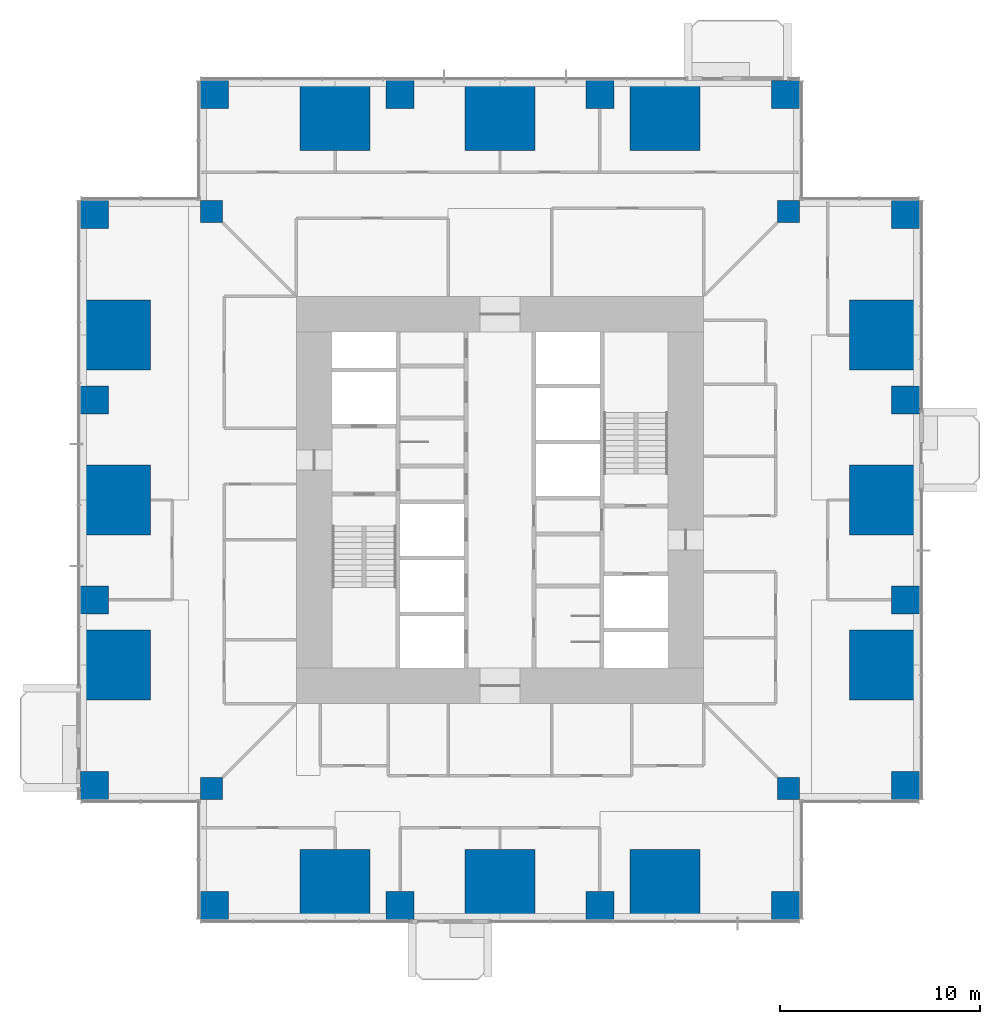
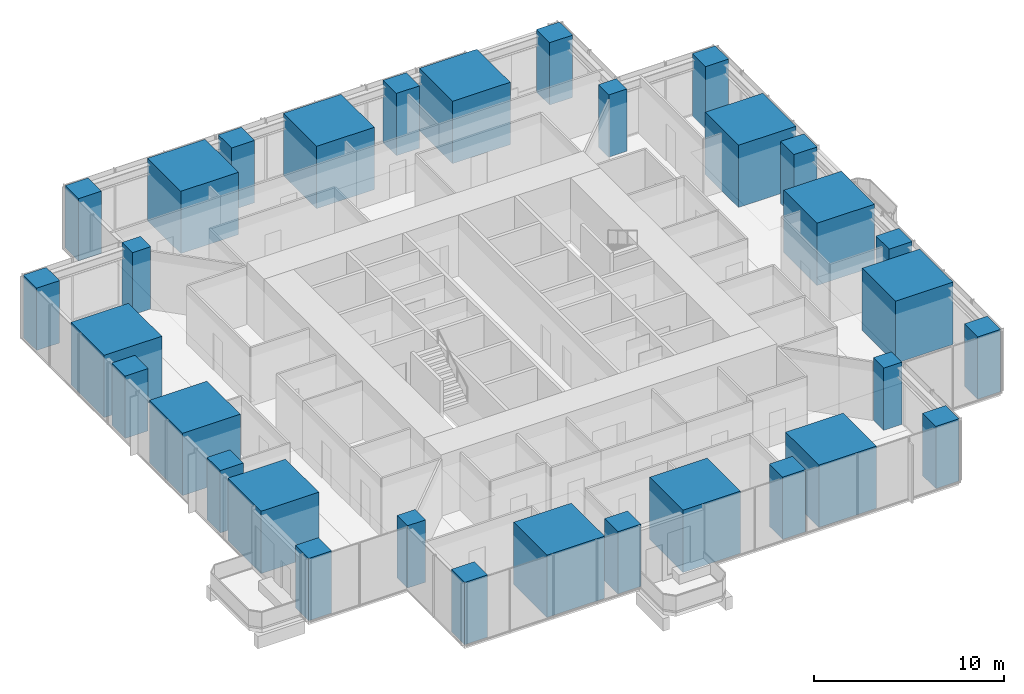
# One storey, part 1 of 18: 32 columns.
"""IFC4 building model written with IfcOpenShell, lengths in metres."""

from ifc_helpers import new_model, si_unit, direction, frame, origin, origin_2d, place, context, subcontext, project, spatial, rectangle, extrude, material, material_profile, profile_set, type_object, element, save


model = new_model("IFC4")

# Units and contexts
model_context = context("Model", 3, precision=1e-05, world=origin(), true_north=direction((0.0, 1.0)))
body_context = subcontext(model_context, "Body", "Model", "MODEL_VIEW")
ifc_project = project(units=[si_unit("LENGTHUNIT", "METRE"), si_unit("AREAUNIT", "SQUARE_METRE"), si_unit("VOLUMEUNIT", "CUBIC_METRE"), si_unit("PLANEANGLEUNIT", "RADIAN"), si_unit("MASSUNIT", "GRAM", prefix="KILO")], contexts=[model_context])

# Site, building, storey
site_placement = place(None, origin())
site = spatial("IfcSite", under=ifc_project, at=site_placement, CompositionType="ELEMENT")
building_placement = place(site_placement, origin())
building = spatial("IfcBuilding", under=site, at=building_placement, Name="Svetlomir Tower", CompositionType="ELEMENT")
storey_placement = place(building_placement, frame((0.0, 0.0, 54.5)))
storey = spatial("IfcBuildingStorey", under=building, at=storey_placement, Name="L12", CompositionType="ELEMENT", Elevation=54.5)

# Columns
ifc_material_1 = material(Name="Concrete C60/75", Category="concrete")
ifc_material_profile_1 = material_profile(ifc_material_1, rectangle(XDim=1.10009765625, YDim=1.10009765625, at=origin_2d()), Name="RC 1100x1100")
ifc_profile_set_1 = profile_set([ifc_material_profile_1], Name="Concrete C60/75")
column_type_1 = type_object("IfcColumnType", Name="COLUMN RC 1100x1100", PredefinedType="COLUMN", material=ifc_profile_set_1)
for number, where, z_axis, x_axis, name in (
    (1, (6.550048828125, 6.550048828125, 0.0), (0.0, 0.0, 1.0), (1.0, 0.0, 0.0), "Column 6/6 L12"),
    (2, (35.449951171875, 6.550048828125, 0.0), (0.0, 0.0, 1.0), (1.0, 0.0, 0.0), "Column 36/6 L12"),
    (3, (6.550048828125, 35.449951171875, 0.0), (0.0, 0.0, 1.0), (1.0, 0.0, 0.0), "Column 6/36 L12"),
    (4, (35.449951171875, 35.449951171875, 0.0), (0.0, 0.0, 1.0), (1.0, 0.0, 0.0), "Column 36/36 L12"),
):
    element("IfcColumn", number, at=place(storey_placement, frame(where, z_axis=z_axis, x_axis=x_axis)), inside=storey, type_object=column_type_1, Name=name, PredefinedType="COLUMN", context=body_context, shape_type="SweptSolid", body=[
        extrude(rectangle(XDim=1.10009765625, YDim=1.10009765625, at=origin_2d()), origin(), (0.0, 0.0, 1.0), 4.0),
    ])
ifc_material_2 = material(Name="Concrete C60/75", Category="concrete")
ifc_material_profile_2 = material_profile(ifc_material_2, rectangle(XDim=1.39990234375, YDim=1.39990234375, at=origin_2d()), Name="RC 1400x1400")
ifc_profile_set_2 = profile_set([ifc_material_profile_2], Name="Concrete C60/75")
column_type_2 = type_object("IfcColumnType", Name="COLUMN RC 1400x1400", PredefinedType="COLUMN", material=ifc_profile_set_2)
for number, where, z_axis, x_axis, name in (
    (5, (6.699951171875, 0.699951171875, 0.0), (0.0, 0.0, 1.0), (1.0, 0.0, 0.0), "Column 6/0 L12"),
    (6, (16.0, 0.699951171875, 0.0), (0.0, 0.0, 1.0), (1.0, 0.0, 0.0), "Column 16/0 L12"),
    (7, (26.0, 0.699951171875, 0.0), (0.0, 0.0, 1.0), (1.0, 0.0, 0.0), "Column 26/0 L12"),
    (8, (35.300048828125, 0.699951171875, 0.0), (0.0, 0.0, 1.0), (1.0, 0.0, 0.0), "Column 36/0 L12"),
    (9, (0.699951171875, 6.699951171875, 0.0), (0.0, 0.0, 1.0), (1.0, 0.0, 0.0), "Column 0/6 L12"),
    (10, (41.300048828125, 6.699951171875, 0.0), (0.0, 0.0, 1.0), (1.0, 0.0, 0.0), "Column 42/6 L12"),
    (11, (0.699951171875, 16.0, 0.0), (0.0, 0.0, 1.0), (1.0, 0.0, 0.0), "Column 0/16 L12"),
    (12, (41.300048828125, 16.0, 0.0), (0.0, 0.0, 1.0), (1.0, 0.0, 0.0), "Column 42/16 L12"),
    (13, (0.699951171875, 26.0, 0.0), (0.0, 0.0, 1.0), (1.0, 0.0, 0.0), "Column 0/26 L12"),
    (14, (41.300048828125, 26.0, 0.0), (0.0, 0.0, 1.0), (1.0, 0.0, 0.0), "Column 42/26 L12"),
    (15, (0.699951171875, 35.300048828125, 0.0), (0.0, 0.0, 1.0), (1.0, 0.0, 0.0), "Column 0/36 L12"),
    (16, (41.300048828125, 35.300048828125, 0.0), (0.0, 0.0, 1.0), (1.0, 0.0, 0.0), "Column 42/36 L12"),
    (17, (6.699951171875, 41.300048828125, 0.0), (0.0, 0.0, 1.0), (1.0, 0.0, 0.0), "Column 6/42 L12"),
    (18, (16.0, 41.300048828125, 0.0), (0.0, 0.0, 1.0), (1.0, 0.0, 0.0), "Column 16/42 L12"),
    (19, (26.0, 41.300048828125, 0.0), (0.0, 0.0, 1.0), (1.0, 0.0, 0.0), "Column 26/42 L12"),
    (20, (35.300048828125, 41.300048828125, 0.0), (0.0, 0.0, 1.0), (1.0, 0.0, 0.0), "Column 36/42 L12"),
):
    element("IfcColumn", number, at=place(storey_placement, frame(where, z_axis=z_axis, x_axis=x_axis)), inside=storey, type_object=column_type_2, Name=name, PredefinedType="COLUMN", context=body_context, shape_type="SweptSolid", body=[
        extrude(rectangle(XDim=1.39990234375, YDim=1.39990234375, at=origin_2d()), origin(), (0.0, 0.0, 1.0), 4.0),
    ])
ifc_material_3 = material(Name="Concrete C60/75", Category="concrete")
ifc_material_profile_3 = material_profile(ifc_material_3, rectangle(XDim=3.5, YDim=3.5, at=origin_2d()), Name="RC 3500x3500")
ifc_profile_set_3 = profile_set([ifc_material_profile_3], Name="Concrete C60/75")
column_type_3 = type_object("IfcColumnType", Name="COLUMN RC 3500x3500", PredefinedType="COLUMN", material=ifc_profile_set_3)
for number, where, z_axis, x_axis, name in (
    (21, (12.75, 1.75, 0.0), (0.0, 0.0, 1.0), (1.0, 0.0, 0.0), "Column 11/0 L12"),
    (22, (21.0, 1.75, 0.0), (0.0, 0.0, 1.0), (1.0, 0.0, 0.0), "Column 21/0 L12"),
    (23, (29.25, 1.75, 0.0), (0.0, 0.0, 1.0), (1.0, 0.0, 0.0), "Column 31/0 L12"),
    (24, (1.75, 12.75, 0.0), (0.0, 0.0, 1.0), (1.0, 0.0, 0.0), "Column 0/11 L12"),
    (25, (40.25, 12.75, 0.0), (0.0, 0.0, 1.0), (1.0, 0.0, 0.0), "Column 42/11 L12"),
    (26, (1.75, 21.0, 0.0), (0.0, 0.0, 1.0), (1.0, 0.0, 0.0), "Column 0/21 L12"),
    (27, (40.25, 21.0, 0.0), (0.0, 0.0, 1.0), (1.0, 0.0, 0.0), "Column 42/21 L12"),
    (28, (1.75, 29.25, 0.0), (0.0, 0.0, 1.0), (1.0, 0.0, 0.0), "Column 0/31 L12"),
    (29, (40.25, 29.25, 0.0), (0.0, 0.0, 1.0), (1.0, 0.0, 0.0), "Column 42/31 L12"),
    (30, (12.75, 40.25, 0.0), (0.0, 0.0, 1.0), (1.0, 0.0, 0.0), "Column 11/42 L12"),
    (31, (21.0, 40.25, 0.0), (0.0, 0.0, 1.0), (1.0, 0.0, 0.0), "Column 21/42 L12"),
    (32, (29.25, 40.25, 0.0), (0.0, 0.0, 1.0), (1.0, 0.0, 0.0), "Column 31/42 L12"),
):
    element("IfcColumn", number, at=place(storey_placement, frame(where, z_axis=z_axis, x_axis=x_axis)), inside=storey, type_object=column_type_3, Name=name, PredefinedType="COLUMN", context=body_context, shape_type="SweptSolid", body=[
        extrude(rectangle(XDim=3.5, YDim=3.5, at=origin_2d()), origin(), (0.0, 0.0, 1.0), 4.0),
    ])

save(model, "model.ifc")
